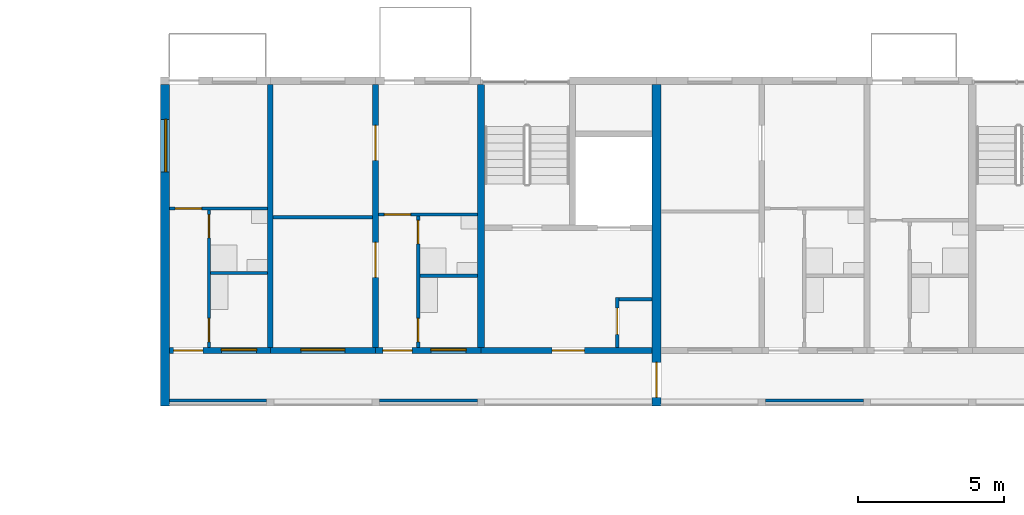
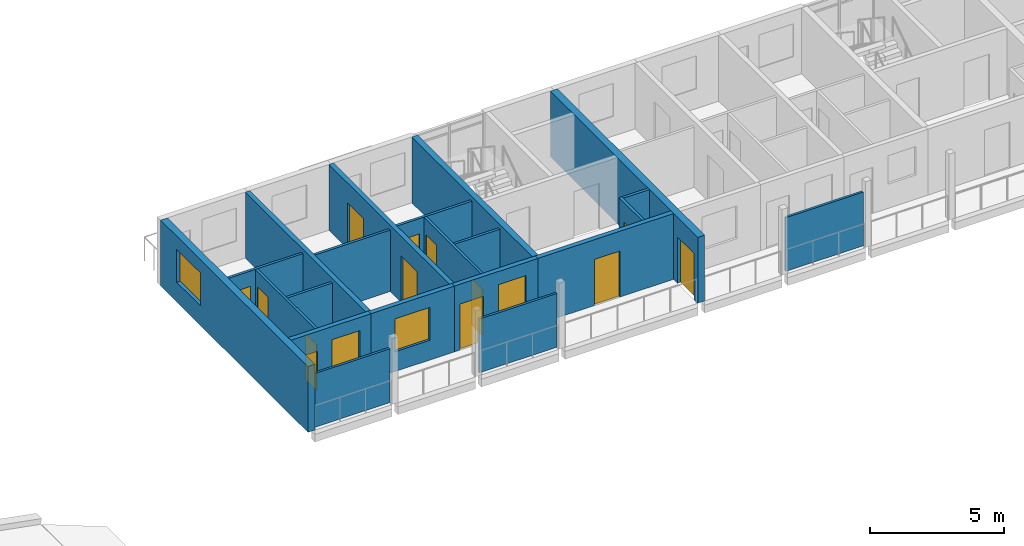
# One storey, part 49 of 93: 21 walls, 13 doors, 4 windows, 17 openings.
"""IFC4 building model written with IfcOpenShell, lengths in metres."""

import ifcopenshell
import ifcopenshell.guid

model = None  # the IFC model being written
_history = None  # IfcOwnerHistory: only IFC2X3 demands one
_inside = {}  # id of a spatial element -> (the spatial element, [elements in it])
_under = {}  # id of a project, library or spatial element -> (it, [spatial elements below it])
_declared = {}  # id of a project -> (the project, [libraries it declares])
_typed = {}  # id of a type object -> (the type object, [elements of that type])
_made_of = {}  # id of a material, layer set ... -> (it, [elements and type objects made of it])


def new_model(schema):
    """Start an empty IFC model of exactly this schema.

    Asked for "IFC4X3", IfcOpenShell would pick the latest addendum, in which some entities
    have other attributes; the version numbers below select the first issue.
    IFC2X3 requires an IfcOwnerHistory on every rooted entity: one is made here for all.
    """
    global model, _history
    if schema == "IFC4X3":
        model = ifcopenshell.file(schema_version=(4, 3, 0, 0))
    else:
        model = ifcopenshell.file(schema=schema)
    _inside.clear()
    _under.clear()
    _declared.clear()
    _typed.clear()
    _made_of.clear()
    _history = None
    if model.schema == "IFC2X3":
        org = make("IfcOrganization", Name="unknown")
        user = make(
            "IfcPersonAndOrganization",
            ThePerson=make("IfcPerson", FamilyName="unknown"),
            TheOrganization=org,
        )
        app = make(
            "IfcApplication",
            ApplicationDeveloper=org,
            Version="unknown",
            ApplicationFullName="unknown",
            ApplicationIdentifier="unknown",
        )
        _history = make(
            "IfcOwnerHistory",
            OwningUser=user,
            OwningApplication=app,
            ChangeAction="ADDED",
            CreationDate=0,
        )
    return model


def make(cls, **values):
    """One entity of the class cls with the attributes given. An attribute that is None is left unset."""
    return model.create_entity(
        cls, **{name: value for name, value in values.items() if value is not None}
    )


def rooted(cls, **values):
    """An entity with a GlobalId (a new one), such as an element, a storey or a relation."""
    return make(cls, GlobalId=ifcopenshell.guid.new(), OwnerHistory=_history, **values)


def si_unit(unit_type, name, prefix=None):
    """IfcSIUnit, for example si_unit("LENGTHUNIT", "METRE", prefix="MILLI")."""
    return make("IfcSIUnit", UnitType=unit_type, Prefix=prefix, Name=name)


def assignment(units):
    """IfcUnitAssignment: the units of a project."""
    return None if units is None else make("IfcUnitAssignment", Units=units)


def point(xyz):
    """IfcCartesianPoint."""
    return None if xyz is None else make("IfcCartesianPoint", Coordinates=xyz)


def direction(xyz):
    """IfcDirection."""
    return None if xyz is None else make("IfcDirection", DirectionRatios=xyz)


def frame(location, z_axis=None, x_axis=None):
    """IfcAxis2Placement3D, a coordinate frame: its origin and axes. An axis left out is left unset."""
    return make(
        "IfcAxis2Placement3D",
        Location=point(location),
        Axis=direction(z_axis),
        RefDirection=direction(x_axis),
    )


def frame_2d(location, x_axis=None):
    """IfcAxis2Placement2D, a coordinate frame in the plane: its origin and x axis."""
    return make(
        "IfcAxis2Placement2D", Location=point(location), RefDirection=direction(x_axis)
    )


def origin():
    """The frame at (0, 0, 0) with its axes left unset."""
    return frame((0.0, 0.0, 0.0))


def place(relative_to, where):
    """IfcLocalPlacement: puts the frame where relative to a parent placement (None: the world)."""
    return make(
        "IfcLocalPlacement", PlacementRelTo=relative_to, RelativePlacement=where
    )


def context(
    kind, dimensions, precision=None, world=None, true_north=None, identifier=None
):
    """IfcGeometricRepresentationContext, for example the 3D "Model" context."""
    return make(
        "IfcGeometricRepresentationContext",
        ContextIdentifier=identifier,
        ContextType=kind,
        CoordinateSpaceDimension=dimensions,
        Precision=precision,
        WorldCoordinateSystem=world,
        TrueNorth=true_north,
    )


def subcontext(parent, identifier, kind, view, scale=None):
    """IfcGeometricRepresentationSubContext, for example "Body" below "Model"."""
    return make(
        "IfcGeometricRepresentationSubContext",
        ContextIdentifier=identifier,
        ContextType=kind,
        ParentContext=parent,
        TargetScale=scale,
        TargetView=view,
    )


def project(units=None, contexts=None):
    """IfcProject with its units and contexts."""
    return rooted(
        "IfcProject",
        Name="project",
        RepresentationContexts=contexts,
        UnitsInContext=assignment(units),
    )


def spatial(cls, under=None, at=None, **own):
    """A site, building, storey or space (cls), placed at a placement, below another one or the project."""
    s = rooted(cls, ObjectPlacement=at, **own)
    if under is not None:
        _under.setdefault(under.id(), (under, []))[1].append(s)
    return s


def profile(cls, at=None, kind="AREA", **sizes):
    """A parametric profile (cls). Its sizes go by their IFC names, for example OverallWidth=200.0."""
    return make(cls, ProfileType=kind, Position=at, **sizes)


def rectangle(**sizes):
    """IfcRectangleProfileDef."""
    return profile("IfcRectangleProfileDef", **sizes)


def extrude(swept, where, along, depth):
    """IfcExtrudedAreaSolid: the profile swept, set in the frame where, extruded along a direction by depth."""
    return make(
        "IfcExtrudedAreaSolid",
        SweptArea=swept,
        Position=where,
        ExtrudedDirection=direction(along),
        Depth=depth,
    )


def shape(context_of_items, identifier, shape_type, items):
    """IfcShapeRepresentation: the items that make up one representation, for example the "Body"."""
    return make(
        "IfcShapeRepresentation",
        ContextOfItems=context_of_items,
        RepresentationIdentifier=identifier,
        RepresentationType=shape_type,
        Items=items,
    )


def material(Name=None, Category=None):
    """IfcMaterial."""
    return make("IfcMaterial", Name=Name, Category=Category)


def layer(
    of_material, thickness, ventilated=None, Name=None, Category=None, Priority=None
):
    """IfcMaterialLayer: one layer of a wall or slab, of a material (None: an air gap)."""
    return make(
        "IfcMaterialLayer",
        Material=of_material,
        LayerThickness=thickness,
        IsVentilated=ventilated,
        Name=Name,
        Category=Category,
        Priority=Priority,
    )


def layer_set(layers, Name=None):
    """IfcMaterialLayerSet."""
    return make("IfcMaterialLayerSet", MaterialLayers=layers, LayerSetName=Name)


def made_of(thing, what):
    """Note that an element or type object is made of a material, layer set ...; save() writes the relation."""
    if what is not None:
        _made_of.setdefault(what.id(), (what, []))[1].append(thing)
    return thing


def type_object(cls, material=None, **own):
    """A type object (cls), such as IfcWallType, which elements share."""
    return made_of(rooted(cls, **own), material)


def element(
    cls,
    number,
    at=None,
    inside=None,
    cuts=None,
    type_object=None,
    material=None,
    context=None,
    identifier="Body",
    shape_type=None,
    held_by="IfcProductDefinitionShape",
    body=None,
    shapes=None,
    **own,
):
    """One element of the class cls, such as IfcWall. Its Tag is "e" and its number.

    at: its placement. inside: the storey or other place that contains it. cuts: it is an
    opening in that element (IfcRelVoidsElement). A single representation is given by context,
    identifier, shape_type and body (its items); several are given by shapes. held_by: the class
    of the entity that holds the representations. save() writes the other relations.
    """
    e = rooted(cls, Tag="e%d" % number, ObjectPlacement=at, **own)
    if body is not None:
        shapes = [shape(context, identifier, shape_type, body)]
    if shapes is not None:
        e.Representation = make(held_by, Representations=shapes)
    if inside is not None:
        _inside.setdefault(inside.id(), (inside, []))[1].append(e)
    if cuts is not None:
        rooted(
            "IfcRelVoidsElement", RelatingBuildingElement=cuts, RelatedOpeningElement=e
        )
    if type_object is not None:
        _typed.setdefault(type_object.id(), (type_object, []))[1].append(e)
    return made_of(e, material)


def fill(opening, filler):
    """IfcRelFillsElement: the door or window that sits in an opening."""
    return rooted(
        "IfcRelFillsElement",
        RelatingOpeningElement=opening,
        RelatedBuildingElement=filler,
    )


def aggregate(whole, parts):
    """IfcRelAggregates: a whole, such as a stair, and the parts it consists of."""
    return rooted("IfcRelAggregates", RelatingObject=whole, RelatedObjects=parts)


def save(model, path):
    """Write the relations noted so far, then the file.

    IfcRelAggregates (storeys below a building ...), IfcRelContainedInSpatialStructure (elements
    in a storey), IfcRelDefinesByType, IfcRelAssociatesMaterial and IfcRelDeclares: one each for
    every whole, place, type object, material and project.
    """
    for whole, parts in _under.values():
        aggregate(whole, parts)
    for where, things in _inside.values():
        rooted(
            "IfcRelContainedInSpatialStructure",
            RelatedElements=things,
            RelatingStructure=where,
        )
    for kind, things in _typed.values():
        rooted("IfcRelDefinesByType", RelatedObjects=things, RelatingType=kind)
    for what, things in _made_of.values():
        rooted("IfcRelAssociatesMaterial", RelatedObjects=things, RelatingMaterial=what)
    for by, libraries in _declared.values():
        rooted("IfcRelDeclares", RelatingContext=by, RelatedDefinitions=libraries)
    model.write(path)


model = new_model("IFC4")

# Units and contexts
model_context = context("Model", 3, precision=1e-05, world=origin(), true_north=direction((0.0, 1.0)))
body_context = subcontext(model_context, "Body", "Model", "MODEL_VIEW")
ifc_project = project(units=[si_unit("LENGTHUNIT", "METRE"), si_unit("AREAUNIT", "SQUARE_METRE"), si_unit("VOLUMEUNIT", "CUBIC_METRE"), si_unit("PLANEANGLEUNIT", "RADIAN"), si_unit("MASSUNIT", "GRAM", prefix="KILO")], contexts=[model_context])

# Site, building, storey
site_placement = place(None, origin())
site = spatial("IfcSite", under=ifc_project, at=site_placement, CompositionType="ELEMENT")
building_placement = place(site_placement, origin())
building = spatial("IfcBuilding", under=site, at=building_placement, Name="Ridgestep Commons", CompositionType="ELEMENT")
storey_placement = place(building_placement, frame((0.0, 0.0, 18.0)))
storey = spatial("IfcBuildingStorey", under=building, at=storey_placement, Name="L06", CompositionType="ELEMENT", Elevation=18.0)

# Wall
ifc_material_1 = material(Name="Concrete C30/37", Category="concrete")
ifc_layer_1 = layer(ifc_material_1, 0.25)
ifc_layer_set_1 = layer_set([ifc_layer_1], Name="Core cross wall 250")
wall_type_1 = type_object("IfcWallType", Name="Core cross wall 250", PredefinedType="SHEAR", material=ifc_layer_set_1)
wall_1_placement = place(storey_placement, frame((157.60009765625, 68.0, 0.0), z_axis=(0.0, 0.0, 1.0), x_axis=(0.0, 1.0, 0.0)))
element("IfcWall", 1, at=wall_1_placement, inside=storey, type_object=wall_type_1, Name="Cross wall C-06-1576", PredefinedType="SHEAR", context=body_context, shape_type="SweptSolid", body=[
    extrude(rectangle(XDim=9.0, YDim=0.25, at=frame_2d((4.5, 0.0))), origin(), (0.0, 0.0, 1.0), 3.0),
])

# Wall, opening, door
ifc_material_2 = material(Name="Concrete C30/37", Category="concrete")
ifc_layer_2 = layer(ifc_material_2, 0.199951171875)
ifc_layer_set_2 = layer_set([ifc_layer_2], Name="Core south wall 200")
wall_type_2 = type_object("IfcWallType", Name="Core south wall 200", PredefinedType="SHEAR", material=ifc_layer_set_2)
wall_2_placement = place(storey_placement, frame((157.60009765625, 67.89990234375, 0.0), z_axis=(0.0, 0.0, 1.0), x_axis=(1.0, 0.0, 0.0)))
wall_2 = element("IfcWall", 2, at=wall_2_placement, inside=storey, type_object=wall_type_2, Name="Core south wall C1C L06", PredefinedType="SHEAR", context=body_context, shape_type="SweptSolid", body=[
    extrude(rectangle(XDim=5.849853515625, YDim=0.199951171875, at=frame_2d((2.9248046875, 0.0))), origin(), (0.0, 0.0, 1.0), 3.0),
])
opening_1_placement = place(wall_2_placement, frame((2.4375, 0.0, 0.0)))
opening_1 = element("IfcOpeningElement", 3, at=opening_1_placement, cuts=wall_2, Name="Opening C1C/06/1", PredefinedType="OPENING", context=body_context, shape_type="SweptSolid", body=[
    extrude(rectangle(XDim=1.10009765625, YDim=2.10009765625, at=frame_2d((0.550048828125, 1.050048828125))), frame((0.0, 0.10986328125, 0.0), z_axis=(0.0, -1.0, 0.0), x_axis=(1.0, 0.0, 0.0)), (0.0, 0.0, 1.0), 0.219970703125),
])
ifc_material_3 = material(Name="Steel fire door", Category="steel")
door_type_1 = type_object("IfcDoorType", Name="Lobby door 1100 x 2100 FD60", OperationType="NOTDEFINED", PredefinedType="DOOR", material=ifc_material_3)
door_1_placement = place(opening_1_placement, origin())
door_1 = element("IfcDoor", 4, at=door_1_placement, inside=storey, type_object=door_type_1, Name="Lobby door C1C/06/1", OperationType="SINGLE_SWING_LEFT", OverallHeight=2.10009765625, OverallWidth=1.10009765625, PredefinedType="DOOR", context=body_context, shape_type="SweptSolid", body=[
    extrude(rectangle(XDim=1.10009765625, YDim=2.10009765625, at=frame_2d((0.550048828125, 1.050048828125))), frame((0.0, 0.02490234375, 0.0), z_axis=(0.0, -1.0, 0.0), x_axis=(1.0, 0.0, 0.0)), (0.0, 0.0, 1.0), 0.050048828125),
])
fill(opening_1, door_1)

ifc_material_4 = material(Name="Concrete C30/37", Category="concrete")
ifc_layer_3 = layer(ifc_material_4, 0.1201171875)
ifc_layer_set_3 = layer_set([ifc_layer_3], Name="Core wall 120")
wall_type_3 = type_object("IfcWallType", Name="Core wall 120", PredefinedType="SHEAR", material=ifc_layer_set_3)
wall_3_placement = place(storey_placement, frame((162.260009765625, 68.0, 0.0), z_axis=(0.0, 0.0, 1.0), x_axis=(0.0, 1.0, 0.0)))
wall_3 = element("IfcWall", 5, at=wall_3_placement, inside=storey, type_object=wall_type_3, Name="Core riser w wall C1C L06", PredefinedType="SHEAR", context=body_context, shape_type="SweptSolid", body=[
    extrude(rectangle(XDim=1.719970703125, YDim=0.1201171875, at=frame_2d((0.85986328125, 0.0))), origin(), (0.0, 0.0, 1.0), 3.0),
])
opening_2_placement = place(wall_3_placement, frame((0.449951171875, 0.0, 0.0)))
opening_2 = element("IfcOpeningElement", 6, at=opening_2_placement, cuts=wall_3, Name="Opening C1C/06/4", PredefinedType="OPENING", context=body_context, shape_type="SweptSolid", body=[
    extrude(rectangle(XDim=0.89990234375, YDim=2.10009765625, at=frame_2d((0.449951171875, 1.050048828125))), frame((0.0, 0.070068359375, 0.0), z_axis=(0.0, -1.0, 0.0), x_axis=(1.0, 0.0, 0.0)), (0.0, 0.0, 1.0), 0.14013671875),
])
ifc_material_5 = material(Name="Steel fire door", Category="steel")
door_type_2 = type_object("IfcDoorType", Name="Riser door 900 x 2100 FD60", OperationType="NOTDEFINED", PredefinedType="DOOR", material=ifc_material_5)
door_2_placement = place(opening_2_placement, origin())
door_2 = element("IfcDoor", 7, at=door_2_placement, inside=storey, type_object=door_type_2, Name="Riser door C1C/06/4", OperationType="SINGLE_SWING_LEFT", OverallHeight=2.10009765625, OverallWidth=0.89990234375, PredefinedType="DOOR", context=body_context, shape_type="SweptSolid", body=[
    extrude(rectangle(XDim=0.89990234375, YDim=2.10009765625, at=frame_2d((0.449951171875, 1.050048828125))), frame((0.0, 0.02490234375, 0.0), z_axis=(0.0, -1.0, 0.0), x_axis=(1.0, 0.0, 0.0)), (0.0, 0.0, 1.0), 0.050048828125),
])
fill(opening_2, door_2)

# Walls
wall_4_placement = place(storey_placement, frame((162.320068359375, 69.659912109375, 0.0), z_axis=(0.0, 0.0, 1.0), x_axis=(1.0, 0.0, 0.0)))
element("IfcWall", 8, at=wall_4_placement, inside=storey, type_object=wall_type_3, Name="Core riser n wall C1C L06", PredefinedType="SHEAR", context=body_context, shape_type="SweptSolid", body=[
    extrude(rectangle(XDim=1.1298828125, YDim=0.1201171875, at=frame_2d((0.56494140625, 0.0))), origin(), (0.0, 0.0, 1.0), 3.0),
])
ifc_material_6 = material(Name="Precast concrete C40/50", Category="concrete")
ifc_layer_4 = layer(ifc_material_6, 0.199951171875)
ifc_layer_set_4 = layer_set([ifc_layer_4], Name="Cross wall 200")
wall_type_4 = type_object("IfcWallType", Name="Cross wall 200", PredefinedType="SHEAR", material=ifc_layer_set_4)
wall_5_placement = place(storey_placement, frame((150.39990234375, 68.0, 0.0), z_axis=(0.0, 0.0, 1.0), x_axis=(0.0, 1.0, 0.0)))
element("IfcWall", 9, at=wall_5_placement, inside=storey, type_object=wall_type_4, Name="Cross wall C-06-1504", PredefinedType="SHEAR", context=body_context, shape_type="SweptSolid", body=[
    extrude(rectangle(XDim=9.0, YDim=0.199951171875, at=frame_2d((4.5, 0.0))), origin(), (0.0, 0.0, 1.0), 3.0),
])

# Wall, openings, doors
wall_6_placement = place(storey_placement, frame((154.0, 68.0, 0.0), z_axis=(0.0, 0.0, 1.0), x_axis=(0.0, 1.0, 0.0)))
wall_6 = element("IfcWall", 10, at=wall_6_placement, inside=storey, type_object=wall_type_4, Name="Cross wall C-06-1540", PredefinedType="SHEAR", context=body_context, shape_type="SweptSolid", body=[
    extrude(rectangle(XDim=9.0, YDim=0.199951171875, at=frame_2d((4.5, 0.0))), origin(), (0.0, 0.0, 1.0), 3.0),
])
opening_3_placement = place(wall_6_placement, frame((2.39990234375, 0.0, 0.0)))
opening_3 = element("IfcOpeningElement", 11, at=opening_3_placement, cuts=wall_6, Name="Opening C1-06b/5", PredefinedType="OPENING", context=body_context, shape_type="SweptSolid", body=[
    extrude(rectangle(XDim=1.199951171875, YDim=2.10009765625, at=frame_2d((0.60009765625, 1.050048828125))), frame((0.0, 0.10986328125, 0.0), z_axis=(0.0, -1.0, 0.0), x_axis=(1.0, 0.0, 0.0)), (0.0, 0.0, 1.0), 0.219970703125),
])
opening_4_placement = place(wall_6_placement, frame((6.39990234375, 0.0, 0.0)))
opening_4 = element("IfcOpeningElement", 12, at=opening_4_placement, cuts=wall_6, Name="Opening C1-06b/6", PredefinedType="OPENING", context=body_context, shape_type="SweptSolid", body=[
    extrude(rectangle(XDim=1.199951171875, YDim=2.10009765625, at=frame_2d((0.60009765625, 1.050048828125))), frame((0.0, 0.10986328125, 0.0), z_axis=(0.0, -1.0, 0.0), x_axis=(1.0, 0.0, 0.0)), (0.0, 0.0, 1.0), 0.219970703125),
])
ifc_material_7 = material(Name="Timber door leaf", Category="wood")
door_type_3 = type_object("IfcDoorType", Name="Double door 1200 x 2100", OperationType="DOUBLE_DOOR_SINGLE_SWING", PredefinedType="DOOR", material=ifc_material_7)
door_3_placement = place(opening_3_placement, origin())
door_3 = element("IfcDoor", 13, at=door_3_placement, inside=storey, type_object=door_type_3, Name="Double door C1-06b/5", OperationType="DOUBLE_DOOR_SINGLE_SWING", OverallHeight=2.10009765625, OverallWidth=1.199951171875, PredefinedType="DOOR", context=body_context, shape_type="SweptSolid", body=[
    extrude(rectangle(XDim=1.199951171875, YDim=2.10009765625, at=frame_2d((0.60009765625, 1.050048828125))), frame((0.0, 0.02490234375, 0.0), z_axis=(0.0, -1.0, 0.0), x_axis=(1.0, 0.0, 0.0)), (0.0, 0.0, 1.0), 0.050048828125),
])
fill(opening_3, door_3)
door_4_placement = place(opening_4_placement, origin())
door_4 = element("IfcDoor", 14, at=door_4_placement, inside=storey, type_object=door_type_3, Name="Double door C1-06b/6", OperationType="DOUBLE_DOOR_SINGLE_SWING", OverallHeight=2.10009765625, OverallWidth=1.199951171875, PredefinedType="DOOR", context=body_context, shape_type="SweptSolid", body=[
    extrude(rectangle(XDim=1.199951171875, YDim=2.10009765625, at=frame_2d((0.60009765625, 1.050048828125))), frame((0.0, 0.02490234375, 0.0), z_axis=(0.0, -1.0, 0.0), x_axis=(1.0, 0.0, 0.0)), (0.0, 0.0, 1.0), 0.050048828125),
])
fill(opening_4, door_4)

# Wall, opening, door
ifc_material_8 = material(Name="Precast concrete C40/50", Category="concrete")
ifc_layer_5 = layer(ifc_material_8, 0.300048828125)
ifc_layer_set_5 = layer_set([ifc_layer_5], Name="Division wall 300")
wall_type_5 = type_object("IfcWallType", Name="Division wall 300", PredefinedType="SHEAR", material=ifc_layer_set_5)
wall_7_placement = place(storey_placement, frame((163.60009765625, 66.0, 0.0), z_axis=(0.0, 0.0, 1.0), x_axis=(0.0, 1.0, 0.0)))
wall_7 = element("IfcWall", 15, at=wall_7_placement, inside=storey, type_object=wall_type_5, Name="Cross wall C-06-1636", PredefinedType="SHEAR", context=body_context, shape_type="SweptSolid", body=[
    extrude(rectangle(XDim=11.0, YDim=0.300048828125, at=frame_2d((5.5, 0.0))), origin(), (0.0, 0.0, 1.0), 3.0),
])
opening_5_placement = place(wall_7_placement, frame((0.300048828125, 0.0, 0.0)))
opening_5 = element("IfcOpeningElement", 16, at=opening_5_placement, cuts=wall_7, Name="Opening C/06/G1636", PredefinedType="OPENING", context=body_context, shape_type="SweptSolid", body=[
    extrude(rectangle(XDim=1.199951171875, YDim=2.10009765625, at=frame_2d((0.60009765625, 1.050048828125))), frame((0.0, 0.159912109375, 0.0), z_axis=(0.0, -1.0, 0.0), x_axis=(1.0, 0.0, 0.0)), (0.0, 0.0, 1.0), 0.320068359375),
])
ifc_material_9 = material(Name="Steel fire door", Category="steel")
door_type_4 = type_object("IfcDoorType", Name="Division fire door 1200 x 2100 EI 240", OperationType="DOUBLE_DOOR_SINGLE_SWING", PredefinedType="DOOR", material=ifc_material_9)
door_5_placement = place(opening_5_placement, origin())
door_5 = element("IfcDoor", 17, at=door_5_placement, inside=storey, type_object=door_type_4, Name="Division fire door C/06/G1636", OperationType="DOUBLE_DOOR_SINGLE_SWING", OverallHeight=2.10009765625, OverallWidth=1.199951171875, PredefinedType="DOOR", context=body_context, shape_type="SweptSolid", body=[
    extrude(rectangle(XDim=1.199951171875, YDim=2.10009765625, at=frame_2d((0.60009765625, 1.050048828125))), frame((0.0, 0.02490234375, 0.0), z_axis=(0.0, -1.0, 0.0), x_axis=(1.0, 0.0, 0.0)), (0.0, 0.0, 1.0), 0.050048828125),
])
fill(opening_5, door_5)

# Wall, opening, window
ifc_material_10 = material(Name="Precast concrete C40/50", Category="concrete")
ifc_layer_6 = layer(ifc_material_10, 0.300048828125)
ifc_layer_set_6 = layer_set([ifc_layer_6], Name="Exposed division wall 300")
wall_type_6 = type_object("IfcWallType", Name="Exposed division wall 300", PredefinedType="SHEAR", material=ifc_layer_set_6)
wall_8_placement = place(storey_placement, frame((146.800048828125, 66.0, 0.0), z_axis=(0.0, 0.0, 1.0), x_axis=(0.0, 1.0, 0.0)))
wall_8 = element("IfcWall", 18, at=wall_8_placement, inside=storey, type_object=wall_type_6, Name="Cross wall C-06-1468", PredefinedType="SHEAR", context=body_context, shape_type="SweptSolid", body=[
    extrude(rectangle(XDim=11.0, YDim=0.300048828125, at=frame_2d((5.5, 0.0))), origin(), (0.0, 0.0, 1.0), 3.0),
])
opening_6_placement = place(wall_8_placement, frame((8.0048828125, 0.0, 0.89990234375)))
opening_6 = element("IfcOpeningElement", 19, at=opening_6_placement, cuts=wall_8, Name="Opening W20", PredefinedType="OPENING", context=body_context, shape_type="SweptSolid", body=[
    extrude(rectangle(XDim=1.800048828125, YDim=1.5, at=frame_2d((0.89990234375, 0.75))), frame((0.0, 0.159912109375, 0.0), z_axis=(0.0, -1.0, 0.0), x_axis=(1.0, 0.0, 0.0)), (0.0, 0.0, 1.0), 0.320068359375),
])
ifc_material_11 = material(Name="Aluminium 6063-T6 and glass", Category="aluminium")
window_type_1 = type_object("IfcWindowType", Name="Flat window 1800 x 1500", PartitioningType="DOUBLE_PANEL_VERTICAL", PredefinedType="WINDOW", material=ifc_material_11)
window_1_placement = place(opening_6_placement, origin())
window_1 = element("IfcWindow", 20, at=window_1_placement, inside=storey, type_object=window_type_1, Name="Window C1-06a 3", OverallHeight=1.5, OverallWidth=1.800048828125, PartitioningType="SINGLE_PANEL", PredefinedType="WINDOW", context=body_context, shape_type="SweptSolid", body=[
    extrude(rectangle(XDim=1.800048828125, YDim=1.5, at=frame_2d((0.89990234375, 0.75))), frame((0.0, 0.0, 0.0), z_axis=(0.0, -1.0, 0.0), x_axis=(1.0, 0.0, 0.0)), (0.0, 0.0, 1.0), 0.06005859375),
])
fill(opening_6, window_1)

# Wall, openings, doors
ifc_material_12 = material(Name="Common brick 110 mm", Category="masonry")
ifc_layer_7 = layer(ifc_material_12, 0.110107421875)
ifc_layer_set_7 = layer_set([ifc_layer_7], Name="Partition 110")
wall_type_7 = type_object("IfcWallType", Name="Partition 110", PredefinedType="PARTITIONING", material=ifc_layer_set_7)
wall_9_placement = place(storey_placement, frame((148.304931640625, 68.0, 0.0), z_axis=(0.0, 0.0, 1.0), x_axis=(0.0, 1.0, 0.0)))
wall_9 = element("IfcWall", 21, at=wall_9_placement, inside=storey, type_object=wall_type_7, Name="Partition C1-06a", PredefinedType="PARTITIONING", context=body_context, shape_type="SweptSolid", body=[
    extrude(rectangle(XDim=4.699951171875, YDim=0.110107421875, at=frame_2d((2.35009765625, 0.0))), origin(), (0.0, 0.0, 1.0), 2.800048828125),
])
opening_7_placement = place(wall_9_placement, frame((0.199951171875, 0.0, 0.0)))
opening_7 = element("IfcOpeningElement", 22, at=opening_7_placement, cuts=wall_9, Name="Opening C1-06a/2", PredefinedType="OPENING", context=body_context, shape_type="SweptSolid", body=[
    extrude(rectangle(XDim=0.800048828125, YDim=2.10009765625, at=frame_2d((0.39990234375, 1.050048828125))), frame((0.0, 0.06494140625, 0.0), z_axis=(0.0, -1.0, 0.0), x_axis=(1.0, 0.0, 0.0)), (0.0, 0.0, 1.0), 0.130126953125),
])
opening_8_placement = place(wall_9_placement, frame((3.75, 0.0, 0.0)))
opening_8 = element("IfcOpeningElement", 23, at=opening_8_placement, cuts=wall_9, Name="Opening C1-06a/3", PredefinedType="OPENING", context=body_context, shape_type="SweptSolid", body=[
    extrude(rectangle(XDim=0.800048828125, YDim=2.10009765625, at=frame_2d((0.39990234375, 1.050048828125))), frame((0.0, 0.06494140625, 0.0), z_axis=(0.0, -1.0, 0.0), x_axis=(1.0, 0.0, 0.0)), (0.0, 0.0, 1.0), 0.130126953125),
])
ifc_material_13 = material(Name="Timber door leaf", Category="wood")
door_type_5 = type_object("IfcDoorType", Name="Internal door 800 x 2100", OperationType="NOTDEFINED", PredefinedType="DOOR", material=ifc_material_13)
door_6_placement = place(opening_7_placement, origin())
door_6 = element("IfcDoor", 24, at=door_6_placement, inside=storey, type_object=door_type_5, Name="Internal door C1-06a/2", OperationType="SINGLE_SWING_RIGHT", OverallHeight=2.10009765625, OverallWidth=0.800048828125, PredefinedType="DOOR", context=body_context, shape_type="SweptSolid", body=[
    extrude(rectangle(XDim=0.800048828125, YDim=2.10009765625, at=frame_2d((0.39990234375, 1.050048828125))), frame((0.0, 0.02490234375, 0.0), z_axis=(0.0, -1.0, 0.0), x_axis=(1.0, 0.0, 0.0)), (0.0, 0.0, 1.0), 0.050048828125),
])
fill(opening_7, door_6)
door_7_placement = place(opening_8_placement, origin())
door_7 = element("IfcDoor", 25, at=door_7_placement, inside=storey, type_object=door_type_5, Name="Internal door C1-06a/3", OperationType="SINGLE_SWING_LEFT", OverallHeight=2.10009765625, OverallWidth=0.800048828125, PredefinedType="DOOR", context=body_context, shape_type="SweptSolid", body=[
    extrude(rectangle(XDim=0.800048828125, YDim=2.10009765625, at=frame_2d((0.39990234375, 1.050048828125))), frame((0.0, 0.02490234375, 0.0), z_axis=(0.0, -1.0, 0.0), x_axis=(1.0, 0.0, 0.0)), (0.0, 0.0, 1.0), 0.050048828125),
])
fill(opening_8, door_7)

# Wall
wall_10_placement = place(storey_placement, frame((148.360107421875, 70.554931640625, 0.0), z_axis=(0.0, 0.0, 1.0), x_axis=(1.0, 0.0, 0.0)))
element("IfcWall", 26, at=wall_10_placement, inside=storey, type_object=wall_type_7, Name="Partition C1-06a", PredefinedType="PARTITIONING", context=body_context, shape_type="SweptSolid", body=[
    extrude(rectangle(XDim=1.93994140625, YDim=0.110107421875, at=frame_2d((0.969970703125, 0.0))), origin(), (0.0, 0.0, 1.0), 2.800048828125),
])

# Wall, opening, door
wall_11_placement = place(storey_placement, frame((146.949951171875, 72.7548828125, 0.0), z_axis=(0.0, 0.0, 1.0), x_axis=(1.0, 0.0, 0.0)))
wall_11 = element("IfcWall", 27, at=wall_11_placement, inside=storey, type_object=wall_type_7, Name="Partition C1-06a", PredefinedType="PARTITIONING", context=body_context, shape_type="SweptSolid", body=[
    extrude(rectangle(XDim=3.35009765625, YDim=0.110107421875, at=frame_2d((1.675048828125, 0.0))), origin(), (0.0, 0.0, 1.0), 2.800048828125),
])
opening_9_placement = place(wall_11_placement, frame((0.199951171875, 0.0, 0.0)))
opening_9 = element("IfcOpeningElement", 28, at=opening_9_placement, cuts=wall_11, Name="Opening C1-06a/4", PredefinedType="OPENING", context=body_context, shape_type="SweptSolid", body=[
    extrude(rectangle(XDim=0.89990234375, YDim=2.10009765625, at=frame_2d((0.449951171875, 1.050048828125))), frame((0.0, 0.06494140625, 0.0), z_axis=(0.0, -1.0, 0.0), x_axis=(1.0, 0.0, 0.0)), (0.0, 0.0, 1.0), 0.130126953125),
])
ifc_material_14 = material(Name="Timber door leaf", Category="wood")
door_type_6 = type_object("IfcDoorType", Name="Internal door 900 x 2100", OperationType="NOTDEFINED", PredefinedType="DOOR", material=ifc_material_14)
door_8_placement = place(opening_9_placement, origin())
door_8 = element("IfcDoor", 29, at=door_8_placement, inside=storey, type_object=door_type_6, Name="Internal door C1-06a/4", OperationType="SINGLE_SWING_LEFT", OverallHeight=2.10009765625, OverallWidth=0.89990234375, PredefinedType="DOOR", context=body_context, shape_type="SweptSolid", body=[
    extrude(rectangle(XDim=0.89990234375, YDim=2.10009765625, at=frame_2d((0.449951171875, 1.050048828125))), frame((0.0, 0.02490234375, 0.0), z_axis=(0.0, -1.0, 0.0), x_axis=(1.0, 0.0, 0.0)), (0.0, 0.0, 1.0), 0.050048828125),
])
fill(opening_9, door_8)

# Wall, openings, doors
wall_12_placement = place(storey_placement, frame((155.455078125, 68.0, 0.0), z_axis=(0.0, 0.0, 1.0), x_axis=(0.0, 1.0, 0.0)))
wall_12 = element("IfcWall", 30, at=wall_12_placement, inside=storey, type_object=wall_type_7, Name="Partition C1-06b", PredefinedType="PARTITIONING", context=body_context, shape_type="SweptSolid", body=[
    extrude(rectangle(XDim=4.5, YDim=0.110107421875, at=frame_2d((2.25, 0.0))), origin(), (0.0, 0.0, 1.0), 2.800048828125),
])
opening_10_placement = place(wall_12_placement, frame((0.199951171875, 0.0, 0.0)))
opening_10 = element("IfcOpeningElement", 31, at=opening_10_placement, cuts=wall_12, Name="Opening C1-06b/2", PredefinedType="OPENING", context=body_context, shape_type="SweptSolid", body=[
    extrude(rectangle(XDim=0.800048828125, YDim=2.10009765625, at=frame_2d((0.39990234375, 1.050048828125))), frame((0.0, 0.06494140625, 0.0), z_axis=(0.0, -1.0, 0.0), x_axis=(1.0, 0.0, 0.0)), (0.0, 0.0, 1.0), 0.130126953125),
])
opening_11_placement = place(wall_12_placement, frame((3.550048828125, 0.0, 0.0)))
opening_11 = element("IfcOpeningElement", 32, at=opening_11_placement, cuts=wall_12, Name="Opening C1-06b/3", PredefinedType="OPENING", context=body_context, shape_type="SweptSolid", body=[
    extrude(rectangle(XDim=0.800048828125, YDim=2.10009765625, at=frame_2d((0.39990234375, 1.050048828125))), frame((0.0, 0.06494140625, 0.0), z_axis=(0.0, -1.0, 0.0), x_axis=(1.0, 0.0, 0.0)), (0.0, 0.0, 1.0), 0.130126953125),
])
door_9_placement = place(opening_10_placement, origin())
door_9 = element("IfcDoor", 33, at=door_9_placement, inside=storey, type_object=door_type_5, Name="Internal door C1-06b/2", OperationType="SINGLE_SWING_RIGHT", OverallHeight=2.10009765625, OverallWidth=0.800048828125, PredefinedType="DOOR", context=body_context, shape_type="SweptSolid", body=[
    extrude(rectangle(XDim=0.800048828125, YDim=2.10009765625, at=frame_2d((0.39990234375, 1.050048828125))), frame((0.0, 0.02490234375, 0.0), z_axis=(0.0, -1.0, 0.0), x_axis=(1.0, 0.0, 0.0)), (0.0, 0.0, 1.0), 0.050048828125),
])
fill(opening_10, door_9)
door_10_placement = place(opening_11_placement, origin())
door_10 = element("IfcDoor", 34, at=door_10_placement, inside=storey, type_object=door_type_5, Name="Internal door C1-06b/3", OperationType="SINGLE_SWING_LEFT", OverallHeight=2.10009765625, OverallWidth=0.800048828125, PredefinedType="DOOR", context=body_context, shape_type="SweptSolid", body=[
    extrude(rectangle(XDim=0.800048828125, YDim=2.10009765625, at=frame_2d((0.39990234375, 1.050048828125))), frame((0.0, 0.02490234375, 0.0), z_axis=(0.0, -1.0, 0.0), x_axis=(1.0, 0.0, 0.0)), (0.0, 0.0, 1.0), 0.050048828125),
])
fill(opening_11, door_10)

# Wall
wall_13_placement = place(storey_placement, frame((155.510009765625, 70.455078125, 0.0), z_axis=(0.0, 0.0, 1.0), x_axis=(1.0, 0.0, 0.0)))
element("IfcWall", 35, at=wall_13_placement, inside=storey, type_object=wall_type_7, Name="Partition C1-06b", PredefinedType="PARTITIONING", context=body_context, shape_type="SweptSolid", body=[
    extrude(rectangle(XDim=1.965087890625, YDim=0.110107421875, at=frame_2d((0.982421875, 0.0))), origin(), (0.0, 0.0, 1.0), 2.800048828125),
])

# Wall, opening, door
wall_14_placement = place(storey_placement, frame((154.10009765625, 72.554931640625, 0.0), z_axis=(0.0, 0.0, 1.0), x_axis=(1.0, 0.0, 0.0)))
wall_14 = element("IfcWall", 36, at=wall_14_placement, inside=storey, type_object=wall_type_7, Name="Partition C1-06b", PredefinedType="PARTITIONING", context=body_context, shape_type="SweptSolid", body=[
    extrude(rectangle(XDim=3.375, YDim=0.110107421875, at=frame_2d((1.6875, 0.0))), origin(), (0.0, 0.0, 1.0), 2.800048828125),
])
opening_12_placement = place(wall_14_placement, frame((0.199951171875, 0.0, 0.0)))
opening_12 = element("IfcOpeningElement", 37, at=opening_12_placement, cuts=wall_14, Name="Opening C1-06b/4", PredefinedType="OPENING", context=body_context, shape_type="SweptSolid", body=[
    extrude(rectangle(XDim=0.89990234375, YDim=2.10009765625, at=frame_2d((0.449951171875, 1.050048828125))), frame((0.0, 0.06494140625, 0.0), z_axis=(0.0, -1.0, 0.0), x_axis=(1.0, 0.0, 0.0)), (0.0, 0.0, 1.0), 0.130126953125),
])
door_11_placement = place(opening_12_placement, origin())
door_11 = element("IfcDoor", 38, at=door_11_placement, inside=storey, type_object=door_type_6, Name="Internal door C1-06b/4", OperationType="SINGLE_SWING_LEFT", OverallHeight=2.10009765625, OverallWidth=0.89990234375, PredefinedType="DOOR", context=body_context, shape_type="SweptSolid", body=[
    extrude(rectangle(XDim=0.89990234375, YDim=2.10009765625, at=frame_2d((0.449951171875, 1.050048828125))), frame((0.0, 0.02490234375, 0.0), z_axis=(0.0, -1.0, 0.0), x_axis=(1.0, 0.0, 0.0)), (0.0, 0.0, 1.0), 0.050048828125),
])
fill(opening_12, door_11)

# Walls
wall_15_placement = place(storey_placement, frame((150.5, 72.455078125, 0.0), z_axis=(0.0, 0.0, 1.0), x_axis=(1.0, 0.0, 0.0)))
element("IfcWall", 39, at=wall_15_placement, inside=storey, type_object=wall_type_7, Name="Partition C1-06b", PredefinedType="PARTITIONING", context=body_context, shape_type="SweptSolid", body=[
    extrude(rectangle(XDim=3.39990234375, YDim=0.110107421875, at=frame_2d((1.699951171875, 0.0))), origin(), (0.0, 0.0, 1.0), 2.800048828125),
])
ifc_material_15 = material(Name="Precast concrete C30/37", Category="concrete")
ifc_layer_8 = layer(ifc_material_15, 0.10009765625)
ifc_layer_set_8 = layer_set([ifc_layer_8], Name="Perforated gallery screen 3325 x 2450 x 100")
wall_type_8 = type_object("IfcWallType", Name="Perforated gallery screen 3325 x 2450 x 100", PredefinedType="SOLIDWALL", material=ifc_layer_set_8)
wall_16_placement = place(storey_placement, frame((146.949951171875, 66.199951171875, 0.0), z_axis=(0.0, 0.0, 1.0), x_axis=(1.0, 0.0, 0.0)))
element("IfcWall", 40, at=wall_16_placement, inside=storey, type_object=wall_type_8, Name="Gallery screen C1T1 06", PredefinedType="SOLIDWALL", context=body_context, shape_type="SweptSolid", body=[
    extrude(rectangle(XDim=3.324951171875, YDim=0.10009765625, at=frame_2d((1.66259765625, 0.0))), origin(), (0.0, 0.0, 1.0), 2.449951171875),
])
ifc_material_16 = material(Name="Precast concrete C30/37", Category="concrete")
ifc_layer_9 = layer(ifc_material_16, 0.10009765625)
ifc_layer_set_9 = layer_set([ifc_layer_9], Name="Perforated gallery screen 3350 x 2450 x 100")
wall_type_9 = type_object("IfcWallType", Name="Perforated gallery screen 3350 x 2450 x 100", PredefinedType="SOLIDWALL", material=ifc_layer_set_9)
for number, where, z_axis, x_axis, name in (
    (41, (154.125, 66.199951171875, 0.0), (0.0, 0.0, 1.0), (1.0, 0.0, 0.0), "Gallery screen C1T3 06"),
    (42, (167.324951171875, 66.199951171875, 0.0), (0.0, 0.0, 1.0), (1.0, 0.0, 0.0), "Gallery screen C2T2 06"),
):
    element("IfcWall", number, at=place(storey_placement, frame(where, z_axis=z_axis, x_axis=x_axis)), inside=storey, type_object=wall_type_9, Name=name, PredefinedType="SOLIDWALL", context=body_context, shape_type="SweptSolid", body=[
        extrude(rectangle(XDim=3.35009765625, YDim=0.10009765625, at=frame_2d((1.675048828125, 0.0))), origin(), (0.0, 0.0, 1.0), 2.449951171875),
    ])

# Wall, openings, door, window
ifc_material_17 = material(Name="Precast concrete C40/50", Category="concrete")
ifc_layer_10 = layer(ifc_material_17, 0.199951171875)
ifc_layer_set_10 = layer_set([ifc_layer_10], Name="South facade panel 200")
wall_type_10 = type_object("IfcWallType", Name="South facade panel 200", PredefinedType="SOLIDWALL", material=ifc_layer_set_10)
wall_17_placement = place(storey_placement, frame((146.949951171875, 67.89990234375, 0.0), z_axis=(0.0, 0.0, 1.0), x_axis=(1.0, 0.0, 0.0)))
wall_17 = element("IfcWall", 43, at=wall_17_placement, inside=storey, type_object=wall_type_10, Name="South panel C1T1 L06", PredefinedType="SOLIDWALL", context=body_context, shape_type="SweptSolid", body=[
    extrude(rectangle(XDim=3.449951171875, YDim=0.199951171875, at=frame_2d((1.72509765625, 0.0))), origin(), (0.0, 0.0, 1.0), 3.0),
])
opening_13_placement = place(wall_17_placement, frame((1.780029296875, 0.0, 1.10009765625)))
opening_13 = element("IfcOpeningElement", 44, at=opening_13_placement, cuts=wall_17, Name="Opening W08", PredefinedType="OPENING", context=body_context, shape_type="SweptSolid", body=[
    extrude(rectangle(XDim=1.199951171875, YDim=1.300048828125, at=frame_2d((0.60009765625, 0.64990234375))), frame((0.0, 0.10986328125, 0.0), z_axis=(0.0, -1.0, 0.0), x_axis=(1.0, 0.0, 0.0)), (0.0, 0.0, 1.0), 0.219970703125),
])
opening_14_placement = place(wall_17_placement, frame((0.14990234375, 0.0, 0.0)))
opening_14 = element("IfcOpeningElement", 45, at=opening_14_placement, cuts=wall_17, Name="Opening C1-06a/1", PredefinedType="OPENING", context=body_context, shape_type="SweptSolid", body=[
    extrude(rectangle(XDim=1.0, YDim=2.10009765625, at=frame_2d((0.5, 1.050048828125))), frame((0.0, 0.10986328125, 0.0), z_axis=(0.0, -1.0, 0.0), x_axis=(1.0, 0.0, 0.0)), (0.0, 0.0, 1.0), 0.219970703125),
])
ifc_material_18 = material(Name="Timber door leaf", Category="wood")
door_type_7 = type_object("IfcDoorType", Name="Flat entrance door 1000 x 2100 FD30S", OperationType="NOTDEFINED", PredefinedType="DOOR", material=ifc_material_18)
door_12_placement = place(opening_14_placement, origin())
door_12 = element("IfcDoor", 46, at=door_12_placement, inside=storey, type_object=door_type_7, Name="Flat entrance door C1-06a/1", OperationType="SINGLE_SWING_LEFT", OverallHeight=2.10009765625, OverallWidth=1.0, PredefinedType="DOOR", context=body_context, shape_type="SweptSolid", body=[
    extrude(rectangle(XDim=1.0, YDim=2.10009765625, at=frame_2d((0.5, 1.050048828125))), frame((0.0, 0.02490234375, 0.0), z_axis=(0.0, -1.0, 0.0), x_axis=(1.0, 0.0, 0.0)), (0.0, 0.0, 1.0), 0.050048828125),
])
fill(opening_14, door_12)
ifc_material_19 = material(Name="Aluminium 6063-T6 and glass", Category="aluminium")
window_type_2 = type_object("IfcWindowType", Name="Flat window 1200 x 1300", PartitioningType="SINGLE_PANEL", PredefinedType="WINDOW", material=ifc_material_19)
window_2_placement = place(opening_13_placement, origin())
window_2 = element("IfcWindow", 47, at=window_2_placement, inside=storey, type_object=window_type_2, Name="Window C1-06a 1", OverallHeight=1.300048828125, OverallWidth=1.199951171875, PartitioningType="SINGLE_PANEL", PredefinedType="WINDOW", context=body_context, shape_type="SweptSolid", body=[
    extrude(rectangle(XDim=1.199951171875, YDim=1.300048828125, at=frame_2d((0.60009765625, 0.64990234375))), frame((0.0, 0.06005859375, 0.0), z_axis=(0.0, -1.0, 0.0), x_axis=(1.0, 0.0, 0.0)), (0.0, 0.0, 1.0), 0.06005859375),
])
fill(opening_13, window_2)

# Wall, opening, window
wall_18_placement = place(storey_placement, frame((150.39990234375, 67.89990234375, 0.0), z_axis=(0.0, 0.0, 1.0), x_axis=(1.0, 0.0, 0.0)))
wall_18 = element("IfcWall", 48, at=wall_18_placement, inside=storey, type_object=wall_type_10, Name="South panel C1T2 L06", PredefinedType="SOLIDWALL", context=body_context, shape_type="SweptSolid", body=[
    extrude(rectangle(XDim=3.60009765625, YDim=0.199951171875, at=frame_2d((1.800048828125, 0.0))), origin(), (0.0, 0.0, 1.0), 3.0),
])
opening_15_placement = place(wall_18_placement, frame((1.050048828125, 0.0, 0.89990234375)))
opening_15 = element("IfcOpeningElement", 49, at=opening_15_placement, cuts=wall_18, Name="Opening W16", PredefinedType="OPENING", context=body_context, shape_type="SweptSolid", body=[
    extrude(rectangle(XDim=1.5, YDim=1.5, at=frame_2d((0.75, 0.75))), frame((0.0, 0.10986328125, 0.0), z_axis=(0.0, -1.0, 0.0), x_axis=(1.0, 0.0, 0.0)), (0.0, 0.0, 1.0), 0.219970703125),
])
ifc_material_20 = material(Name="Aluminium 6063-T6 and glass", Category="aluminium")
window_type_3 = type_object("IfcWindowType", Name="Flat window 1500 x 1500", PartitioningType="DOUBLE_PANEL_VERTICAL", PredefinedType="WINDOW", material=ifc_material_20)
window_3_placement = place(opening_15_placement, origin())
window_3 = element("IfcWindow", 50, at=window_3_placement, inside=storey, type_object=window_type_3, Name="Window C1-06b 1", OverallHeight=1.5, OverallWidth=1.5, PartitioningType="SINGLE_PANEL", PredefinedType="WINDOW", context=body_context, shape_type="SweptSolid", body=[
    extrude(rectangle(XDim=1.5, YDim=1.5, at=frame_2d((0.75, 0.75))), frame((0.0, 0.06005859375, 0.0), z_axis=(0.0, -1.0, 0.0), x_axis=(1.0, 0.0, 0.0)), (0.0, 0.0, 1.0), 0.06005859375),
])
fill(opening_15, window_3)

# Wall, openings, door, window
wall_19_placement = place(storey_placement, frame((154.0, 67.89990234375, 0.0), z_axis=(0.0, 0.0, 1.0), x_axis=(1.0, 0.0, 0.0)))
wall_19 = element("IfcWall", 51, at=wall_19_placement, inside=storey, type_object=wall_type_10, Name="South panel C1T3 L06", PredefinedType="SOLIDWALL", context=body_context, shape_type="SweptSolid", body=[
    extrude(rectangle(XDim=3.60009765625, YDim=0.199951171875, at=frame_2d((1.800048828125, 0.0))), origin(), (0.0, 0.0, 1.0), 3.0),
])
opening_16_placement = place(wall_19_placement, frame((1.892578125, 0.0, 1.10009765625)))
opening_16 = element("IfcOpeningElement", 52, at=opening_16_placement, cuts=wall_19, Name="Opening W08", PredefinedType="OPENING", context=body_context, shape_type="SweptSolid", body=[
    extrude(rectangle(XDim=1.199951171875, YDim=1.300048828125, at=frame_2d((0.60009765625, 0.64990234375))), frame((0.0, 0.10986328125, 0.0), z_axis=(0.0, -1.0, 0.0), x_axis=(1.0, 0.0, 0.0)), (0.0, 0.0, 1.0), 0.219970703125),
])
opening_17_placement = place(wall_19_placement, frame((0.25, 0.0, 0.0)))
opening_17 = element("IfcOpeningElement", 53, at=opening_17_placement, cuts=wall_19, Name="Opening C1-06b/1", PredefinedType="OPENING", context=body_context, shape_type="SweptSolid", body=[
    extrude(rectangle(XDim=1.0, YDim=2.10009765625, at=frame_2d((0.5, 1.050048828125))), frame((0.0, 0.10986328125, 0.0), z_axis=(0.0, -1.0, 0.0), x_axis=(1.0, 0.0, 0.0)), (0.0, 0.0, 1.0), 0.219970703125),
])
door_13_placement = place(opening_17_placement, origin())
door_13 = element("IfcDoor", 54, at=door_13_placement, inside=storey, type_object=door_type_7, Name="Flat entrance door C1-06b/1", OperationType="SINGLE_SWING_LEFT", OverallHeight=2.10009765625, OverallWidth=1.0, PredefinedType="DOOR", context=body_context, shape_type="SweptSolid", body=[
    extrude(rectangle(XDim=1.0, YDim=2.10009765625, at=frame_2d((0.5, 1.050048828125))), frame((0.0, 0.02490234375, 0.0), z_axis=(0.0, -1.0, 0.0), x_axis=(1.0, 0.0, 0.0)), (0.0, 0.0, 1.0), 0.050048828125),
])
fill(opening_17, door_13)
window_4_placement = place(opening_16_placement, origin())
window_4 = element("IfcWindow", 55, at=window_4_placement, inside=storey, type_object=window_type_2, Name="Window C1-06b 3", OverallHeight=1.300048828125, OverallWidth=1.199951171875, PartitioningType="SINGLE_PANEL", PredefinedType="WINDOW", context=body_context, shape_type="SweptSolid", body=[
    extrude(rectangle(XDim=1.199951171875, YDim=1.300048828125, at=frame_2d((0.60009765625, 0.64990234375))), frame((0.0, 0.06005859375, 0.0), z_axis=(0.0, -1.0, 0.0), x_axis=(1.0, 0.0, 0.0)), (0.0, 0.0, 1.0), 0.06005859375),
])
fill(opening_16, window_4)

save(model, "model.ifc")
